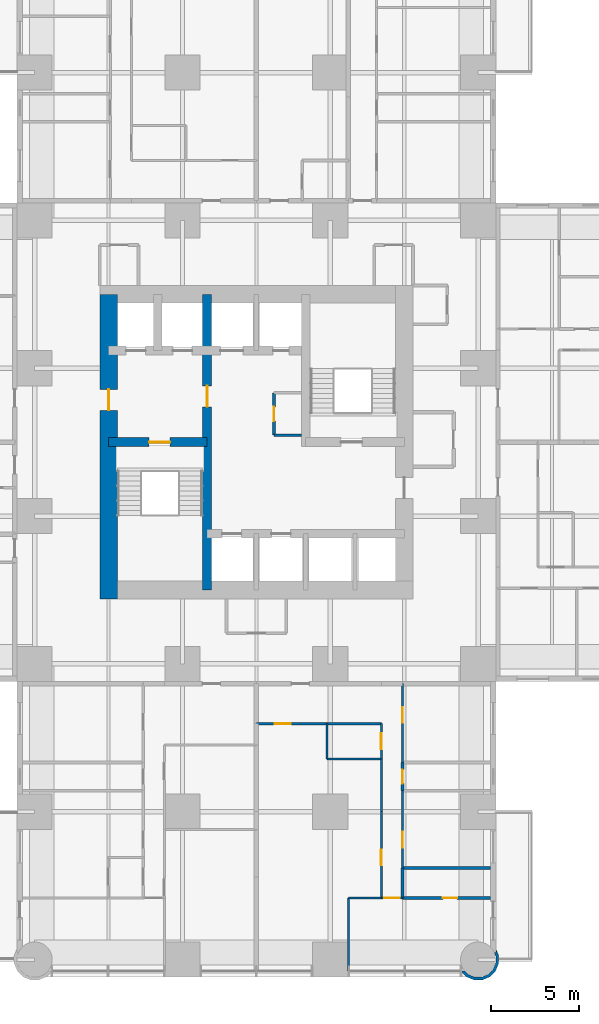
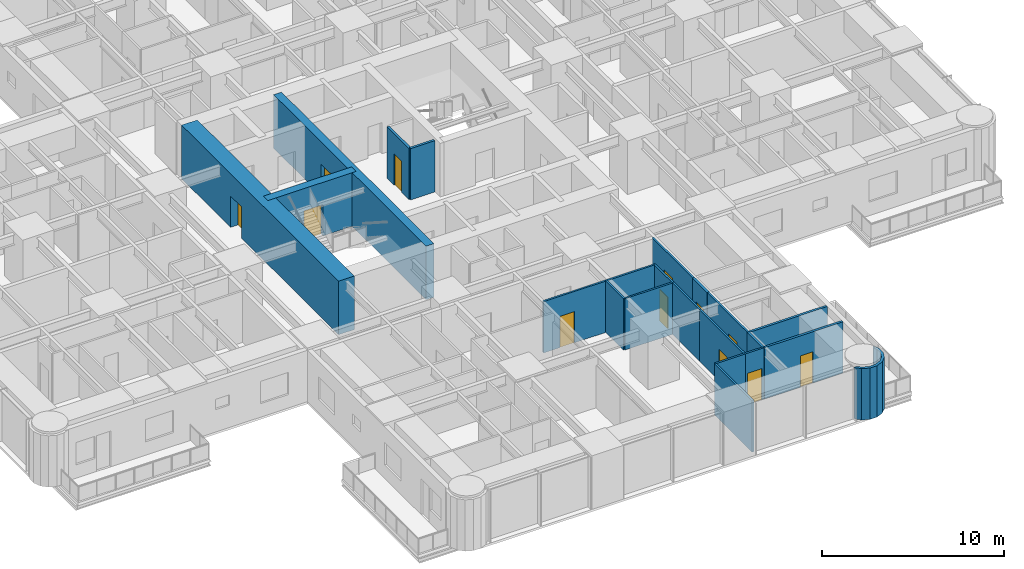
# One storey, part 9 of 17: 22 walls, 12 doors, 12 openings.
"""IFC4 building model written with IfcOpenShell, lengths in metres."""

from ifc_helpers import new_model, si_unit, direction, frame, frame_2d, origin, place, context, subcontext, project, spatial, polyline, rectangle, outline, extrude, material, layer, layer_set, type_object, element, fill, save


model = new_model("IFC4")

# Units and contexts
model_context = context("Model", 3, precision=1e-05, world=origin(), true_north=direction((0.0, 1.0)))
body_context = subcontext(model_context, "Body", "Model", "MODEL_VIEW")
ifc_project = project(units=[si_unit("LENGTHUNIT", "METRE"), si_unit("AREAUNIT", "SQUARE_METRE"), si_unit("VOLUMEUNIT", "CUBIC_METRE"), si_unit("PLANEANGLEUNIT", "RADIAN"), si_unit("MASSUNIT", "GRAM", prefix="KILO")], contexts=[model_context])

# Site, building, storey
site_placement = place(None, origin())
site = spatial("IfcSite", under=ifc_project, at=site_placement, CompositionType="ELEMENT")
building_placement = place(site_placement, origin())
building = spatial("IfcBuilding", under=site, at=building_placement, Name="Torre Alcanfor", CompositionType="ELEMENT")
storey_placement = place(building_placement, frame((0.0, 0.0, 95.699951171875)))
storey = spatial("IfcBuildingStorey", under=building, at=storey_placement, Name="L24", CompositionType="ELEMENT", Elevation=95.699951171875)

# Wall, opening, door
ifc_material_1 = material(Name="Gypsum board on steel studs", Category="steel")
ifc_layer_1 = layer(ifc_material_1, 0.1201171875)
ifc_layer_set_1 = layer_set([ifc_layer_1], Name="Apartment partition 120")
wall_type_1 = type_object("IfcWallType", Name="Apartment partition 120", PredefinedType="PARTITIONING", material=ifc_layer_set_1)
wall_1_placement = place(storey_placement, frame((29.39990234375, 13.39990234375, 0.0), z_axis=(0.0, 0.0, 1.0), x_axis=(1.0, 0.0, 0.0)))
wall_1 = element("IfcWall", 1, at=wall_1_placement, inside=storey, type_object=wall_type_1, Name="Partition L24-S1-ZAG / L24-S1-KITCHEN", PredefinedType="PARTITIONING", context=body_context, shape_type="SweptSolid", body=[
    extrude(rectangle(XDim=4.0, YDim=0.1201171875, at=frame_2d((2.0, 0.0))), origin(), (0.0, 0.0, 1.0), 3.449951171875),
])
opening_1_placement = place(wall_1_placement, frame((1.050048828125, 0.0, 0.0)))
opening_1 = element("IfcOpeningElement", 2, at=opening_1_placement, cuts=wall_1, Name="Opening D-R1", PredefinedType="OPENING", context=body_context, shape_type="SweptSolid", body=[
    extrude(rectangle(XDim=0.89990234375, YDim=2.10009765625, at=frame_2d((0.449951171875, 1.050048828125))), frame((0.0, 0.070068359375, 0.0), z_axis=(0.0, -1.0, 0.0), x_axis=(1.0, 0.0, 0.0)), (0.0, 0.0, 1.0), 0.14013671875),
])
ifc_material_2 = material(Name="Timber", Category="wood")
door_type_1 = type_object("IfcDoorType", Name="Internal door 900x2100", OperationType="SINGLE_SWING_LEFT", PredefinedType="DOOR", material=ifc_material_2)
door_1_placement = place(opening_1_placement, frame((0.89990234375, 0.0, 0.0), z_axis=(0.0, 0.0, 1.0), x_axis=(-1.0, 0.0, 0.0)))
door_1 = element("IfcDoor", 3, at=door_1_placement, inside=storey, type_object=door_type_1, Name="Door L24-S1 kitchen", OperationType="SINGLE_SWING_RIGHT", OverallHeight=2.10009765625, OverallWidth=0.89990234375, PredefinedType="DOOR", context=body_context, shape_type="SweptSolid", body=[
    extrude(rectangle(XDim=0.89990234375, YDim=2.10009765625, at=frame_2d((0.449951171875, 1.050048828125))), frame((0.0, 0.025146484375, 0.0), z_axis=(0.0, -1.0, 0.0), x_axis=(1.0, 0.0, 0.0)), (0.0, 0.0, 1.0), 0.050048828125),
])
fill(opening_1, door_1)

# Walls
wall_2_placement = place(storey_placement, frame((33.39990234375, 13.39990234375, 0.0), z_axis=(0.0, 0.0, 1.0), x_axis=(1.0, 0.0, 0.0)))
element("IfcWall", 4, at=wall_2_placement, inside=storey, type_object=wall_type_1, Name="Partition L24-S1-ZAG / L24-S1-UTIL", PredefinedType="PARTITIONING", context=body_context, shape_type="SweptSolid", body=[
    extrude(rectangle(XDim=3.10009765625, YDim=0.1201171875, at=frame_2d((1.550048828125, 0.0))), origin(), (0.0, 0.0, 1.0), 3.449951171875),
])
wall_3_placement = place(storey_placement, frame((33.39990234375, 13.39990234375, 0.0), z_axis=(0.0, 0.0, 1.0), x_axis=(0.0, -1.0, 0.0)))
element("IfcWall", 5, at=wall_3_placement, inside=storey, type_object=wall_type_1, Name="Partition L24-S1-KITCHEN / L24-S1-UTIL", PredefinedType="PARTITIONING", context=body_context, shape_type="SweptSolid", body=[
    extrude(rectangle(XDim=2.0, YDim=0.1201171875, at=frame_2d((1.0, 0.0))), origin(), (0.0, 0.0, 1.0), 3.449951171875),
])
wall_4_placement = place(storey_placement, frame((33.39990234375, 11.39990234375, 0.0), z_axis=(0.0, 0.0, 1.0), x_axis=(1.0, 0.0, 0.0)))
element("IfcWall", 6, at=wall_4_placement, inside=storey, type_object=wall_type_1, Name="Partition L24-S1-KITCHEN / L24-S1-UTIL", PredefinedType="PARTITIONING", context=body_context, shape_type="SweptSolid", body=[
    extrude(rectangle(XDim=3.10009765625, YDim=0.1201171875, at=frame_2d((1.550048828125, 0.0))), origin(), (0.0, 0.0, 1.0), 3.449951171875),
])
wall_5_placement = place(storey_placement, frame((36.5, 11.39990234375, 0.0), z_axis=(0.0, 0.0, 1.0), x_axis=(0.0, -1.0, 0.0)))
element("IfcWall", 7, at=wall_5_placement, inside=storey, type_object=wall_type_1, Name="Partition L24-S1-KITCHEN / L24-S1-HALL", PredefinedType="PARTITIONING", context=body_context, shape_type="SweptSolid", body=[
    extrude(rectangle(XDim=3.0, YDim=0.1201171875, at=frame_2d((1.5, 0.0))), origin(), (0.0, 0.0, 1.0), 3.449951171875),
])

# Wall, opening, door
wall_6_placement = place(storey_placement, frame((36.5, 11.39990234375, 0.0), z_axis=(0.0, 0.0, 1.0), x_axis=(0.0, 1.0, 0.0)))
wall_6 = element("IfcWall", 8, at=wall_6_placement, inside=storey, type_object=wall_type_1, Name="Partition L24-S1-UTIL / L24-S1-HALL", PredefinedType="PARTITIONING", context=body_context, shape_type="SweptSolid", body=[
    extrude(rectangle(XDim=2.0, YDim=0.1201171875, at=frame_2d((1.0, 0.0))), origin(), (0.0, 0.0, 1.0), 3.449951171875),
])
opening_2_placement = place(wall_6_placement, frame((0.550048828125, 0.0, 0.0)))
opening_2 = element("IfcOpeningElement", 9, at=opening_2_placement, cuts=wall_6, Name="Opening D-R1", PredefinedType="OPENING", context=body_context, shape_type="SweptSolid", body=[
    extrude(rectangle(XDim=0.89990234375, YDim=2.10009765625, at=frame_2d((0.449951171875, 1.050048828125))), frame((0.0, 0.070068359375, 0.0), z_axis=(0.0, -1.0, 0.0), x_axis=(1.0, 0.0, 0.0)), (0.0, 0.0, 1.0), 0.14013671875),
])
door_2_placement = place(opening_2_placement, origin())
door_2 = element("IfcDoor", 10, at=door_2_placement, inside=storey, type_object=door_type_1, Name="Door L24-S1 util", OperationType="SINGLE_SWING_LEFT", OverallHeight=2.10009765625, OverallWidth=0.89990234375, PredefinedType="DOOR", context=body_context, shape_type="SweptSolid", body=[
    extrude(rectangle(XDim=0.89990234375, YDim=2.10009765625, at=frame_2d((0.449951171875, 1.050048828125))), frame((0.0, 0.02490234375, 0.0), z_axis=(0.0, -1.0, 0.0), x_axis=(1.0, 0.0, 0.0)), (0.0, 0.0, 1.0), 0.050048828125),
])
fill(opening_2, door_2)

wall_7_placement = place(storey_placement, frame((36.5, 8.39990234375, 0.0), z_axis=(0.0, 0.0, 1.0), x_axis=(0.0, -1.0, 0.0)))
wall_7 = element("IfcWall", 11, at=wall_7_placement, inside=storey, type_object=wall_type_1, Name="Partition L24-S1-LIVING / L24-S1-HALL", PredefinedType="PARTITIONING", context=body_context, shape_type="SweptSolid", body=[
    extrude(rectangle(XDim=4.89990234375, YDim=0.1201171875, at=frame_2d((2.449951171875, 0.0))), origin(), (0.0, 0.0, 1.0), 3.449951171875),
])
opening_3_placement = place(wall_7_placement, frame((2.14990234375, 0.0, 0.0)))
opening_3 = element("IfcOpeningElement", 12, at=opening_3_placement, cuts=wall_7, Name="Opening D-R1", PredefinedType="OPENING", context=body_context, shape_type="SweptSolid", body=[
    extrude(rectangle(XDim=0.89990234375, YDim=2.10009765625, at=frame_2d((0.449951171875, 1.050048828125))), frame((0.0, 0.070068359375, 0.0), z_axis=(0.0, -1.0, 0.0), x_axis=(1.0, 0.0, 0.0)), (0.0, 0.0, 1.0), 0.14013671875),
])
door_3_placement = place(opening_3_placement, frame((0.89990234375, 0.0, 0.0), z_axis=(0.0, 0.0, 1.0), x_axis=(-1.0, 0.0, 0.0)))
door_3 = element("IfcDoor", 13, at=door_3_placement, inside=storey, type_object=door_type_1, Name="Door L24-S1 living", OperationType="SINGLE_SWING_LEFT", OverallHeight=2.10009765625, OverallWidth=0.89990234375, PredefinedType="DOOR", context=body_context, shape_type="SweptSolid", body=[
    extrude(rectangle(XDim=0.89990234375, YDim=2.10009765625, at=frame_2d((0.449951171875, 1.050048828125))), frame((0.0, 0.025146484375, 0.0), z_axis=(0.0, -1.0, 0.0), x_axis=(1.0, 0.0, 0.0)), (0.0, 0.0, 1.0), 0.050048828125),
])
fill(opening_3, door_3)

# Walls
wall_8_placement = place(storey_placement, frame((36.5, 3.5, 0.0), z_axis=(0.0, 0.0, 1.0), x_axis=(-1.0, 0.0, 0.0)))
element("IfcWall", 14, at=wall_8_placement, inside=storey, type_object=wall_type_1, Name="Partition L24-S1-LIVING / L24-S1-MASTER", PredefinedType="PARTITIONING", context=body_context, shape_type="SweptSolid", body=[
    extrude(rectangle(XDim=1.87109375, YDim=0.1201171875, at=frame_2d((0.935546875, 0.0))), origin(), (0.0, 0.0, 1.0), 3.449951171875),
])
wall_9_placement = place(storey_placement, frame((34.62890625, 3.5, 0.0), z_axis=(0.0, 0.0, 1.0), x_axis=(0.0, -1.0, 0.0)))
element("IfcWall", 15, at=wall_9_placement, inside=storey, type_object=wall_type_1, Name="Partition L24-S1-LIVING / L24-S1-MASTER", PredefinedType="PARTITIONING", context=body_context, shape_type="SweptSolid", body=[
    extrude(rectangle(XDim=4.14990234375, YDim=0.1201171875, at=frame_2d((2.074951171875, 0.0))), origin(), (0.0, 0.0, 1.0), 3.449951171875),
])

# Wall, opening, door
wall_10_placement = place(storey_placement, frame((37.699951171875, 11.199951171875, 0.0), z_axis=(0.0, 0.0, 1.0), x_axis=(0.0, 1.0, 0.0)))
wall_10 = element("IfcWall", 16, at=wall_10_placement, inside=storey, type_object=wall_type_1, Name="Partition L24-S1-HALL / L24-S1-BED3", PredefinedType="PARTITIONING", context=body_context, shape_type="SweptSolid", body=[
    extrude(rectangle(XDim=4.47509765625, YDim=0.1201171875, at=frame_2d((2.237548828125, 0.0))), origin(), (0.0, 0.0, 1.0), 3.449951171875),
])
opening_4_placement = place(wall_10_placement, frame((2.25, 0.0, 0.0)))
opening_4 = element("IfcOpeningElement", 17, at=opening_4_placement, cuts=wall_10, Name="Opening D-R1", PredefinedType="OPENING", context=body_context, shape_type="SweptSolid", body=[
    extrude(rectangle(XDim=0.89990234375, YDim=2.10009765625, at=frame_2d((0.449951171875, 1.050048828125))), frame((0.0, 0.070068359375, 0.0), z_axis=(0.0, -1.0, 0.0), x_axis=(1.0, 0.0, 0.0)), (0.0, 0.0, 1.0), 0.14013671875),
])
door_4_placement = place(opening_4_placement, frame((0.89990234375, 0.0, 0.0), z_axis=(0.0, 0.0, 1.0), x_axis=(-1.0, 0.0, 0.0)))
door_4 = element("IfcDoor", 18, at=door_4_placement, inside=storey, type_object=door_type_1, Name="Door L24-S1 bed3", OperationType="SINGLE_SWING_LEFT", OverallHeight=2.10009765625, OverallWidth=0.89990234375, PredefinedType="DOOR", context=body_context, shape_type="SweptSolid", body=[
    extrude(rectangle(XDim=0.89990234375, YDim=2.10009765625, at=frame_2d((0.449951171875, 1.050048828125))), frame((0.0, 0.025146484375, 0.0), z_axis=(0.0, -1.0, 0.0), x_axis=(1.0, 0.0, 0.0)), (0.0, 0.0, 1.0), 0.050048828125),
])
fill(opening_4, door_4)

wall_11_placement = place(storey_placement, frame((37.699951171875, 5.199951171875, 0.0), z_axis=(0.0, 0.0, 1.0), x_axis=(0.0, 1.0, 0.0)))
wall_11 = element("IfcWall", 19, at=wall_11_placement, inside=storey, type_object=wall_type_1, Name="Partition L24-S1-HALL / L24-S1-BED2", PredefinedType="PARTITIONING", context=body_context, shape_type="SweptSolid", body=[
    extrude(rectangle(XDim=4.400146484375, YDim=0.1201171875, at=frame_2d((2.2001953125, 0.0))), origin(), (0.0, 0.0, 1.0), 3.449951171875),
])
opening_5_placement = place(wall_11_placement, frame((1.14990234375, 0.0, 0.0)))
opening_5 = element("IfcOpeningElement", 20, at=opening_5_placement, cuts=wall_11, Name="Opening D-R1", PredefinedType="OPENING", context=body_context, shape_type="SweptSolid", body=[
    extrude(rectangle(XDim=0.89990234375, YDim=2.10009765625, at=frame_2d((0.449951171875, 1.050048828125))), frame((0.0, 0.070068359375, 0.0), z_axis=(0.0, -1.0, 0.0), x_axis=(1.0, 0.0, 0.0)), (0.0, 0.0, 1.0), 0.14013671875),
])
door_5_placement = place(opening_5_placement, frame((0.89990234375, 0.0, 0.0), z_axis=(0.0, 0.0, 1.0), x_axis=(-1.0, 0.0, 0.0)))
door_5 = element("IfcDoor", 21, at=door_5_placement, inside=storey, type_object=door_type_1, Name="Door L24-S1 bed2", OperationType="SINGLE_SWING_RIGHT", OverallHeight=2.10009765625, OverallWidth=0.89990234375, PredefinedType="DOOR", context=body_context, shape_type="SweptSolid", body=[
    extrude(rectangle(XDim=0.89990234375, YDim=2.10009765625, at=frame_2d((0.449951171875, 1.050048828125))), frame((0.0, 0.025146484375, 0.0), z_axis=(0.0, -1.0, 0.0), x_axis=(1.0, 0.0, 0.0)), (0.0, 0.0, 1.0), 0.050048828125),
])
fill(opening_5, door_5)

wall_12_placement = place(storey_placement, frame((36.5, 3.5, 0.0), z_axis=(0.0, 0.0, 1.0), x_axis=(1.0, 0.0, 0.0)))
wall_12 = element("IfcWall", 22, at=wall_12_placement, inside=storey, type_object=wall_type_1, Name="Partition L24-S1-HALL / L24-S1-MASTER", PredefinedType="PARTITIONING", context=body_context, shape_type="SweptSolid", body=[
    extrude(rectangle(XDim=1.199951171875, YDim=0.1201171875, at=frame_2d((0.60009765625, 0.0))), origin(), (0.0, 0.0, 1.0), 3.449951171875),
])
opening_6_placement = place(wall_12_placement, frame((0.14990234375, 0.0, 0.0)))
opening_6 = element("IfcOpeningElement", 23, at=opening_6_placement, cuts=wall_12, Name="Opening D-R1", PredefinedType="OPENING", context=body_context, shape_type="SweptSolid", body=[
    extrude(rectangle(XDim=0.89990234375, YDim=2.10009765625, at=frame_2d((0.449951171875, 1.050048828125))), frame((0.0, 0.070068359375, 0.0), z_axis=(0.0, -1.0, 0.0), x_axis=(1.0, 0.0, 0.0)), (0.0, 0.0, 1.0), 0.14013671875),
])
door_6_placement = place(opening_6_placement, frame((0.89990234375, 0.0, 0.0), z_axis=(0.0, 0.0, 1.0), x_axis=(-1.0, 0.0, 0.0)))
door_6 = element("IfcDoor", 24, at=door_6_placement, inside=storey, type_object=door_type_1, Name="Door L24-S1 master", OperationType="SINGLE_SWING_RIGHT", OverallHeight=2.10009765625, OverallWidth=0.89990234375, PredefinedType="DOOR", context=body_context, shape_type="SweptSolid", body=[
    extrude(rectangle(XDim=0.89990234375, YDim=2.10009765625, at=frame_2d((0.449951171875, 1.050048828125))), frame((0.0, 0.025146484375, 0.0), z_axis=(0.0, -1.0, 0.0), x_axis=(1.0, 0.0, 0.0)), (0.0, 0.0, 1.0), 0.050048828125),
])
fill(opening_6, door_6)

ifc_material_3 = material(Name="Concrete f'c 70 MPa", Category="concrete")
ifc_layer_2 = layer(ifc_material_3, 0.5)
ifc_layer_set_2 = layer_set([ifc_layer_2], Name="Core inner wall 500 f'c70")
wall_type_2 = type_object("IfcWallType", Name="Core inner wall 500 f'c70", PredefinedType="SHEAR", material=ifc_layer_set_2)
wall_13_placement = place(storey_placement, frame((26.60009765625, 21.0, 0.0), z_axis=(0.0, 0.0, 1.0), x_axis=(0.0, 1.0, 0.0)))
wall_13 = element("IfcWall", 25, at=wall_13_placement, inside=storey, type_object=wall_type_2, Name="Core wall X266 L24", PredefinedType="SHEAR", context=body_context, shape_type="SweptSolid", body=[
    extrude(rectangle(XDim=16.800048828125, YDim=0.5, at=frame_2d((8.39990234375, 0.0))), origin(), (0.0, 0.0, 1.0), 3.60009765625),
])
opening_7_placement = place(wall_13_placement, frame((10.39990234375, 0.0, 0.0)))
opening_7 = element("IfcOpeningElement", 26, at=opening_7_placement, cuts=wall_13, Name="Opening D-L1", PredefinedType="OPENING", context=body_context, shape_type="SweptSolid", body=[
    extrude(rectangle(XDim=1.199951171875, YDim=2.10009765625, at=frame_2d((0.60009765625, 1.050048828125))), frame((0.0, 0.260009765625, 0.0), z_axis=(0.0, -1.0, 0.0), x_axis=(1.0, 0.0, 0.0)), (0.0, 0.0, 1.0), 0.52001953125),
])
ifc_material_4 = material(Name="Galvanised steel sheet ASTM A653", Category="steel")
door_type_2 = type_object("IfcDoorType", Name="Lobby door FD120 1200x2100", OperationType="SINGLE_SWING_LEFT", PredefinedType="DOOR", material=ifc_material_4)
door_7_placement = place(opening_7_placement, origin())
door_7 = element("IfcDoor", 27, at=door_7_placement, inside=storey, type_object=door_type_2, Name="Lift lobby door L24", OperationType="SINGLE_SWING_LEFT", OverallHeight=2.10009765625, OverallWidth=1.199951171875, PredefinedType="DOOR", context=body_context, shape_type="SweptSolid", body=[
    extrude(rectangle(XDim=1.199951171875, YDim=2.10009765625, at=frame_2d((0.60009765625, 1.050048828125))), frame((0.0, 0.02490234375, 0.0), z_axis=(0.0, -1.0, 0.0), x_axis=(1.0, 0.0, 0.0)), (0.0, 0.0, 1.0), 0.050048828125),
])
fill(opening_7, door_7)

wall_14_placement = place(storey_placement, frame((21.0, 29.39990234375, 0.0), z_axis=(0.0, 0.0, 1.0), x_axis=(1.0, 0.0, 0.0)))
wall_14 = element("IfcWall", 28, at=wall_14_placement, inside=storey, type_object=wall_type_2, Name="Core wall Y294W L24", PredefinedType="SHEAR", context=body_context, shape_type="SweptSolid", body=[
    extrude(rectangle(XDim=5.60009765625, YDim=0.5, at=frame_2d((2.800048828125, 0.0))), origin(), (0.0, 0.0, 1.0), 3.60009765625),
])
opening_8_placement = place(wall_14_placement, frame((2.300048828125, 0.0, 0.0)))
opening_8 = element("IfcOpeningElement", 29, at=opening_8_placement, cuts=wall_14, Name="Opening D-S2", PredefinedType="OPENING", context=body_context, shape_type="SweptSolid", body=[
    extrude(rectangle(XDim=1.199951171875, YDim=2.10009765625, at=frame_2d((0.60009765625, 1.050048828125))), frame((0.0, 0.260009765625, 0.0), z_axis=(0.0, -1.0, 0.0), x_axis=(1.0, 0.0, 0.0)), (0.0, 0.0, 1.0), 0.52001953125),
])
ifc_material_5 = material(Name="Galvanised steel sheet ASTM A653", Category="steel")
door_type_3 = type_object("IfcDoorType", Name="Stair enclosure door FD120 1200x2100", OperationType="SINGLE_SWING_LEFT", PredefinedType="DOOR", material=ifc_material_5)
door_8_placement = place(opening_8_placement, frame((1.199951171875, 0.0, 0.0), z_axis=(0.0, 0.0, 1.0), x_axis=(-1.0, 0.0, 0.0)))
door_8 = element("IfcDoor", 30, at=door_8_placement, inside=storey, type_object=door_type_3, Name="Stair S1 door L24", OperationType="SINGLE_SWING_LEFT", OverallHeight=2.10009765625, OverallWidth=1.199951171875, PredefinedType="DOOR", context=body_context, shape_type="SweptSolid", body=[
    extrude(rectangle(XDim=1.199951171875, YDim=2.10009765625, at=frame_2d((0.599853515625, 1.050048828125))), frame((0.0, 0.025146484375, 0.0), z_axis=(0.0, -1.0, 0.0), x_axis=(1.0, 0.0, 0.0)), (0.0, 0.0, 1.0), 0.050048828125),
])
fill(opening_8, door_8)

ifc_material_6 = material(Name="Concrete f'c 70 MPa", Category="concrete")
ifc_layer_3 = layer(ifc_material_6, 1.0)
ifc_layer_set_3 = layer_set([ifc_layer_3], Name="Core wall 1000 f'c70")
wall_type_3 = type_object("IfcWallType", Name="Core wall 1000 f'c70", PredefinedType="SHEAR", material=ifc_layer_set_3)
wall_15_placement = place(storey_placement, frame((21.0, 37.800048828125, 0.0), z_axis=(0.0, 0.0, 1.0), x_axis=(0.0, -1.0, 0.0)))
wall_15 = element("IfcWall", 31, at=wall_15_placement, inside=storey, type_object=wall_type_3, Name="Core wall OUT-W L24", PredefinedType="SHEAR", context=body_context, shape_type="SweptSolid", body=[
    extrude(rectangle(XDim=17.300048828125, YDim=1.0, at=frame_2d((8.64990234375, 0.0))), origin(), (0.0, 0.0, 1.0), 3.60009765625),
])
opening_9_placement = place(wall_15_placement, frame((5.39990234375, 0.0, 0.0)))
opening_9 = element("IfcOpeningElement", 32, at=opening_9_placement, cuts=wall_15, Name="Opening D-L1", PredefinedType="OPENING", context=body_context, shape_type="SweptSolid", body=[
    extrude(rectangle(XDim=1.199951171875, YDim=2.10009765625, at=frame_2d((0.60009765625, 1.050048828125))), frame((0.0, 0.510009765625, 0.0), z_axis=(0.0, -1.0, 0.0), x_axis=(1.0, 0.0, 0.0)), (0.0, 0.0, 1.0), 1.02001953125),
])
door_9_placement = place(opening_9_placement, origin())
door_9 = element("IfcDoor", 33, at=door_9_placement, inside=storey, type_object=door_type_2, Name="Firefighting lobby door L24", OperationType="SINGLE_SWING_LEFT", OverallHeight=2.10009765625, OverallWidth=1.199951171875, PredefinedType="DOOR", context=body_context, shape_type="SweptSolid", body=[
    extrude(rectangle(XDim=1.199951171875, YDim=2.10009765625, at=frame_2d((0.60009765625, 1.050048828125))), frame((0.0, 0.02490234375, 0.0), z_axis=(0.0, -1.0, 0.0), x_axis=(1.0, 0.0, 0.0)), (0.0, 0.0, 1.0), 0.050048828125),
])
fill(opening_9, door_9)

# Wall
ifc_material_7 = material(Name="Concrete block masonry, hollow blocks NMX-C-404 9 MPa", Category="masonry")
ifc_layer_4 = layer(ifc_material_7, 0.14990234375)
ifc_layer_set_4 = layer_set([ifc_layer_4], Name="Residents' room partition 150")
wall_type_4 = type_object("IfcWallType", Name="Residents' room partition 150", PredefinedType="PARTITIONING", material=ifc_layer_set_4)
wall_16_placement = place(storey_placement, frame((31.949951171875, 29.800048828125, 0.0), z_axis=(0.0, 0.0, 1.0), x_axis=(-1.0, 0.0, 0.0)))
element("IfcWall", 34, at=wall_16_placement, inside=storey, type_object=wall_type_4, Name="Partition L24-LL / L24-CR1", PredefinedType="PARTITIONING", context=body_context, shape_type="SweptSolid", body=[
    extrude(rectangle(XDim=1.550048828125, YDim=0.14990234375, at=frame_2d((0.77490234375, 0.0))), origin(), (0.0, 0.0, 1.0), 3.449951171875),
])

# Wall, opening, door
wall_17_placement = place(storey_placement, frame((30.39990234375, 29.800048828125, 0.0), z_axis=(0.0, 0.0, 1.0), x_axis=(0.0, 1.0, 0.0)))
wall_17 = element("IfcWall", 35, at=wall_17_placement, inside=storey, type_object=wall_type_4, Name="Partition L24-LL / L24-CR1", PredefinedType="PARTITIONING", context=body_context, shape_type="SweptSolid", body=[
    extrude(rectangle(XDim=2.39990234375, YDim=0.14990234375, at=frame_2d((1.199951171875, 0.0))), origin(), (0.0, 0.0, 1.0), 3.449951171875),
])
opening_10_placement = place(wall_17_placement, frame((0.800048828125, 0.0, 0.0)))
opening_10 = element("IfcOpeningElement", 36, at=opening_10_placement, cuts=wall_17, Name="Opening D-R2", PredefinedType="OPENING", context=body_context, shape_type="SweptSolid", body=[
    extrude(rectangle(XDim=0.800048828125, YDim=2.10009765625, at=frame_2d((0.39990234375, 1.050048828125))), frame((0.0, 0.0849609375, 0.0), z_axis=(0.0, -1.0, 0.0), x_axis=(1.0, 0.0, 0.0)), (0.0, 0.0, 1.0), 0.169921875),
])
ifc_material_8 = material(Name="Timber", Category="wood")
door_type_4 = type_object("IfcDoorType", Name="Bathroom door 800x2100", OperationType="SINGLE_SWING_LEFT", PredefinedType="DOOR", material=ifc_material_8)
door_10_placement = place(opening_10_placement, frame((0.800048828125, 0.0, 0.0), z_axis=(0.0, 0.0, 1.0), x_axis=(-1.0, 0.0, 0.0)))
door_10 = element("IfcDoor", 37, at=door_10_placement, inside=storey, type_object=door_type_4, Name="Cleaners' store door L24", OperationType="SINGLE_SWING_RIGHT", OverallHeight=2.10009765625, OverallWidth=0.800048828125, PredefinedType="DOOR", context=body_context, shape_type="SweptSolid", body=[
    extrude(rectangle(XDim=0.800048828125, YDim=2.10009765625, at=frame_2d((0.400146484375, 1.050048828125))), frame((0.0, 0.025146484375, 0.0), z_axis=(0.0, -1.0, 0.0), x_axis=(1.0, 0.0, 0.0)), (0.0, 0.0, 1.0), 0.050048828125),
])
fill(opening_10, door_10)

# Wall
ifc_material_9 = material(Name="Limestone cladding", Category="masonry")
ifc_layer_5 = layer(ifc_material_9, 0.0400390625, Name="Facing")
ifc_material_10 = material(Name="Ventilated air cavity")
ifc_layer_6 = layer(ifc_material_10, 0.02001953125, ventilated=True, Name="Ventilated joint")
ifc_material_11 = material(Name="Mineral wool insulation", Category="insulation")
ifc_layer_7 = layer(ifc_material_11, 0.10009765625, Name="Insulation")
ifc_material_12 = material(Name="Concrete f'c 35 MPa", Category="concrete")
ifc_layer_8 = layer(ifc_material_12, 0.139892578125, Name="Backing")
ifc_layer_set_5 = layer_set([ifc_layer_5, ifc_layer_6, ifc_layer_7, ifc_layer_8], Name="Rounded corner pier stone-clad 300")
wall_type_5 = type_object("IfcWallType", Name="Rounded corner pier stone-clad 300", PredefinedType="SOLIDWALL", material=ifc_layer_set_5)
wall_18_placement = place(storey_placement, frame((41.132476465, -0.643275148, 0.0), z_axis=(0.0, 0.0, 1.0), x_axis=(0.555974394895, -0.831199417842, 0.0)))
element("IfcWall", 38, at=wall_18_placement, inside=storey, type_object=wall_type_5, Name="Corner pier L24 16", PredefinedType="SOLIDWALL", context=body_context, shape_type="SweptSolid", body=[
    extrude(outline(polyline([(0.1712067434741278, 2.1322644498423946), (0.11334706153538965, 2.066401120693992), (0.3385577735146673, 2.0215012284234515), (0.6697387915612579, 1.799980180457634), (0.890651462668792, 1.4689338241478345), (0.9681928875911037, 1.0781138583522962), (0.8904026039051673, 0.6878027388003138), (0.6688815559393502, 0.35662172075372317), (0.33783519962955044, 0.13570904964618913), (0.062161497586597114, 0.08101345182403863), (-0.035839848388476404, -0.06550167993431824), (0.004543131140488994, -0.09251313124877757), (0.39976574819715555, -0.014098189407930367), (0.7834787541996076, 0.24207971489970526), (1.0400196737188443, 0.6256165556521908), (1.1302965571138393, 1.0780686237824806), (1.0404587017229114, 1.5308643727154396), (0.7842807974152758, 1.9145773787178917), (0.4007439566627903, 2.171118298237128), (-0.009197622361300395, 2.2529336971718132), (0.1712067434741278, 2.1322644498423946)])), origin(), (0.0, 0.0, 1.0), 3.449951171875),
])

# Wall, opening, door
ifc_material_13 = material(Name="Cement board on steel studs", Category="steel")
ifc_layer_9 = layer(ifc_material_13, 0.14990234375)
ifc_layer_set_6 = layer_set([ifc_layer_9], Name="Wet area partition 150")
wall_type_6 = type_object("IfcWallType", Name="Wet area partition 150", PredefinedType="PARTITIONING", material=ifc_layer_set_6)
wall_19_placement = place(storey_placement, frame((37.699951171875, 9.60009765625, 0.0), z_axis=(0.0, 0.0, 1.0), x_axis=(0.0, 1.0, 0.0)))
wall_19 = element("IfcWall", 39, at=wall_19_placement, inside=storey, type_object=wall_type_6, Name="Partition L24-S1-HALL / L24-S1-BATH1", PredefinedType="PARTITIONING", context=body_context, shape_type="SweptSolid", body=[
    extrude(rectangle(XDim=1.599853515625, YDim=0.14990234375, at=frame_2d((0.7998046875, 0.0))), origin(), (0.0, 0.0, 1.0), 3.449951171875),
])
opening_11_placement = place(wall_19_placement, frame((0.39990234375, 0.0, 0.0)))
opening_11 = element("IfcOpeningElement", 40, at=opening_11_placement, cuts=wall_19, Name="Opening D-R2", PredefinedType="OPENING", context=body_context, shape_type="SweptSolid", body=[
    extrude(rectangle(XDim=0.800048828125, YDim=2.10009765625, at=frame_2d((0.39990234375, 1.050048828125))), frame((0.0, 0.0849609375, 0.0), z_axis=(0.0, -1.0, 0.0), x_axis=(1.0, 0.0, 0.0)), (0.0, 0.0, 1.0), 0.169921875),
])
door_11_placement = place(opening_11_placement, frame((0.800048828125, 0.0, 0.0), z_axis=(0.0, 0.0, 1.0), x_axis=(-1.0, 0.0, 0.0)))
door_11 = element("IfcDoor", 41, at=door_11_placement, inside=storey, type_object=door_type_4, Name="Door L24-S1 bath1", OperationType="SINGLE_SWING_RIGHT", OverallHeight=2.10009765625, OverallWidth=0.800048828125, PredefinedType="DOOR", context=body_context, shape_type="SweptSolid", body=[
    extrude(rectangle(XDim=0.800048828125, YDim=2.10009765625, at=frame_2d((0.400146484375, 1.050048828125))), frame((0.0, 0.025146484375, 0.0), z_axis=(0.0, -1.0, 0.0), x_axis=(1.0, 0.0, 0.0)), (0.0, 0.0, 1.0), 0.050048828125),
])
fill(opening_11, door_11)

# Walls
wall_20_placement = place(storey_placement, frame((37.699951171875, 3.5, 0.0), z_axis=(0.0, 0.0, 1.0), x_axis=(0.0, 1.0, 0.0)))
element("IfcWall", 42, at=wall_20_placement, inside=storey, type_object=wall_type_6, Name="Partition L24-S1-HALL / L24-S1-ENSBATH", PredefinedType="PARTITIONING", context=body_context, shape_type="SweptSolid", body=[
    extrude(rectangle(XDim=1.699951171875, YDim=0.14990234375, at=frame_2d((0.85009765625, 0.0))), origin(), (0.0, 0.0, 1.0), 3.449951171875),
])
wall_21_placement = place(storey_placement, frame((37.699951171875, 5.199951171875, 0.0), z_axis=(0.0, 0.0, 1.0), x_axis=(1.0, 0.0, 0.0)))
element("IfcWall", 43, at=wall_21_placement, inside=storey, type_object=wall_type_6, Name="Partition L24-S1-BED2 / L24-S1-ENSBATH", PredefinedType="PARTITIONING", context=body_context, shape_type="SweptSolid", body=[
    extrude(rectangle(XDim=5.0, YDim=0.14990234375, at=frame_2d((2.5, 0.0))), origin(), (0.0, 0.0, 1.0), 3.449951171875),
])

# Wall, opening, door
wall_22_placement = place(storey_placement, frame((37.699951171875, 3.5, 0.0), z_axis=(0.0, 0.0, 1.0), x_axis=(1.0, 0.0, 0.0)))
wall_22 = element("IfcWall", 44, at=wall_22_placement, inside=storey, type_object=wall_type_6, Name="Partition L24-S1-ENSBATH / L24-S1-MASTER", PredefinedType="PARTITIONING", context=body_context, shape_type="SweptSolid", body=[
    extrude(rectangle(XDim=5.0, YDim=0.14990234375, at=frame_2d((2.5, 0.0))), origin(), (0.0, 0.0, 1.0), 3.449951171875),
])
opening_12_placement = place(wall_22_placement, frame((2.300048828125, 0.0, 0.0)))
opening_12 = element("IfcOpeningElement", 45, at=opening_12_placement, cuts=wall_22, Name="Opening D-R2", PredefinedType="OPENING", context=body_context, shape_type="SweptSolid", body=[
    extrude(rectangle(XDim=0.800048828125, YDim=2.10009765625, at=frame_2d((0.39990234375, 1.050048828125))), frame((0.0, 0.0849609375, 0.0), z_axis=(0.0, -1.0, 0.0), x_axis=(1.0, 0.0, 0.0)), (0.0, 0.0, 1.0), 0.169921875),
])
door_12_placement = place(opening_12_placement, origin())
door_12 = element("IfcDoor", 46, at=door_12_placement, inside=storey, type_object=door_type_4, Name="Door L24-S1 ensbath", OperationType="SINGLE_SWING_RIGHT", OverallHeight=2.10009765625, OverallWidth=0.800048828125, PredefinedType="DOOR", context=body_context, shape_type="SweptSolid", body=[
    extrude(rectangle(XDim=0.800048828125, YDim=2.10009765625, at=frame_2d((0.39990234375, 1.050048828125))), frame((0.0, 0.02490234375, 0.0), z_axis=(0.0, -1.0, 0.0), x_axis=(1.0, 0.0, 0.0)), (0.0, 0.0, 1.0), 0.050048828125),
])
fill(opening_12, door_12)

save(model, "model.ifc")
